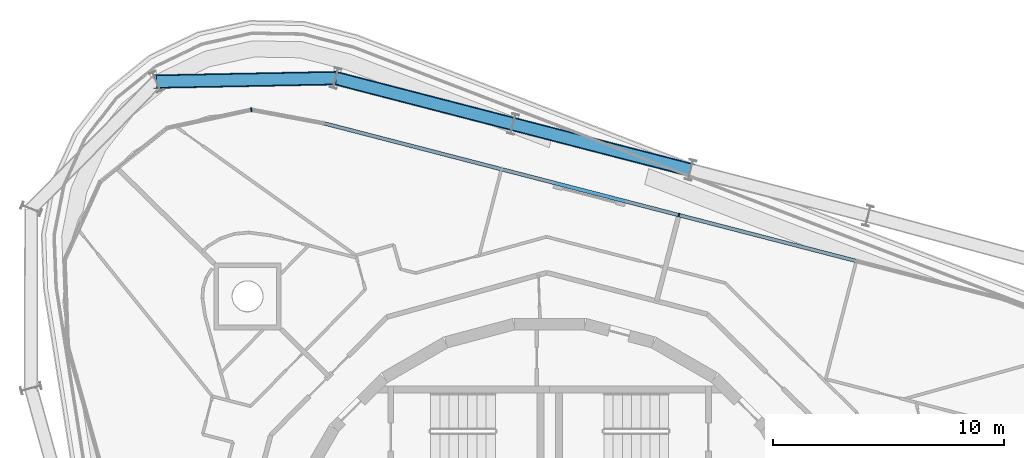
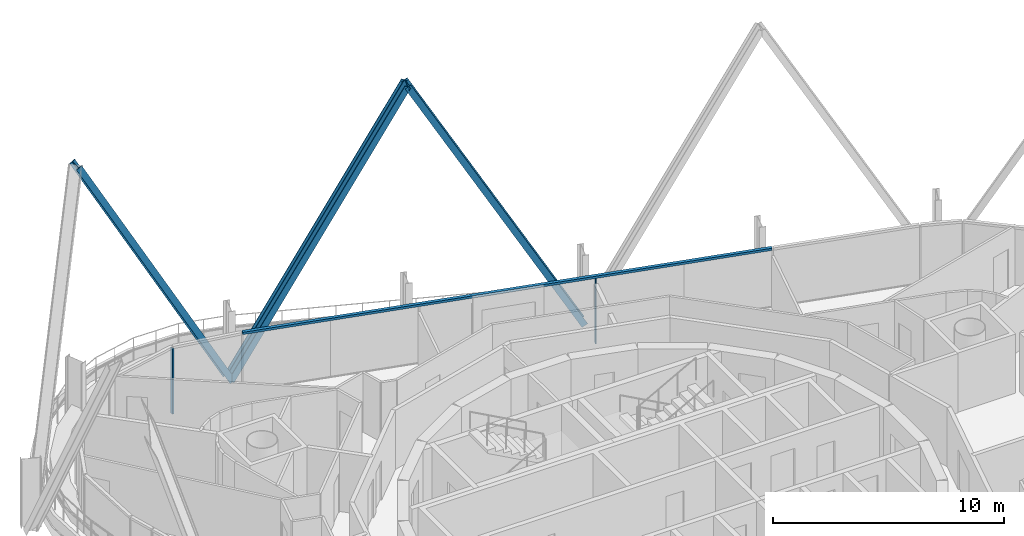
# One storey, part 6 of 18: 6 members, 2 elements without a shape of their own.
"""IFC4 building model written with IfcOpenShell, lengths in metres."""

import ifcopenshell
import ifcopenshell.guid

model = None  # the IFC model being written
_history = None  # IfcOwnerHistory: only IFC2X3 demands one
_inside = {}  # id of a spatial element -> (the spatial element, [elements in it])
_under = {}  # id of a project, library or spatial element -> (it, [spatial elements below it])
_declared = {}  # id of a project -> (the project, [libraries it declares])
_typed = {}  # id of a type object -> (the type object, [elements of that type])
_made_of = {}  # id of a material, layer set ... -> (it, [elements and type objects made of it])


def new_model(schema):
    """Start an empty IFC model of exactly this schema.

    Asked for "IFC4X3", IfcOpenShell would pick the latest addendum, in which some entities
    have other attributes; the version numbers below select the first issue.
    IFC2X3 requires an IfcOwnerHistory on every rooted entity: one is made here for all.
    """
    global model, _history
    if schema == "IFC4X3":
        model = ifcopenshell.file(schema_version=(4, 3, 0, 0))
    else:
        model = ifcopenshell.file(schema=schema)
    _inside.clear()
    _under.clear()
    _declared.clear()
    _typed.clear()
    _made_of.clear()
    _history = None
    if model.schema == "IFC2X3":
        org = make("IfcOrganization", Name="unknown")
        user = make(
            "IfcPersonAndOrganization",
            ThePerson=make("IfcPerson", FamilyName="unknown"),
            TheOrganization=org,
        )
        app = make(
            "IfcApplication",
            ApplicationDeveloper=org,
            Version="unknown",
            ApplicationFullName="unknown",
            ApplicationIdentifier="unknown",
        )
        _history = make(
            "IfcOwnerHistory",
            OwningUser=user,
            OwningApplication=app,
            ChangeAction="ADDED",
            CreationDate=0,
        )
    return model


def make(cls, **values):
    """One entity of the class cls with the attributes given. An attribute that is None is left unset."""
    return model.create_entity(
        cls, **{name: value for name, value in values.items() if value is not None}
    )


def rooted(cls, **values):
    """An entity with a GlobalId (a new one), such as an element, a storey or a relation."""
    return make(cls, GlobalId=ifcopenshell.guid.new(), OwnerHistory=_history, **values)


def si_unit(unit_type, name, prefix=None):
    """IfcSIUnit, for example si_unit("LENGTHUNIT", "METRE", prefix="MILLI")."""
    return make("IfcSIUnit", UnitType=unit_type, Prefix=prefix, Name=name)


def assignment(units):
    """IfcUnitAssignment: the units of a project."""
    return None if units is None else make("IfcUnitAssignment", Units=units)


def point(xyz):
    """IfcCartesianPoint."""
    return None if xyz is None else make("IfcCartesianPoint", Coordinates=xyz)


def direction(xyz):
    """IfcDirection."""
    return None if xyz is None else make("IfcDirection", DirectionRatios=xyz)


def frame(location, z_axis=None, x_axis=None):
    """IfcAxis2Placement3D, a coordinate frame: its origin and axes. An axis left out is left unset."""
    return make(
        "IfcAxis2Placement3D",
        Location=point(location),
        Axis=direction(z_axis),
        RefDirection=direction(x_axis),
    )


def frame_2d(location, x_axis=None):
    """IfcAxis2Placement2D, a coordinate frame in the plane: its origin and x axis."""
    return make(
        "IfcAxis2Placement2D", Location=point(location), RefDirection=direction(x_axis)
    )


def origin():
    """The frame at (0, 0, 0) with its axes left unset."""
    return frame((0.0, 0.0, 0.0))


def origin_2d():
    """The frame at (0, 0) in the plane with its x axis left unset."""
    return frame_2d((0.0, 0.0))


def place(relative_to, where):
    """IfcLocalPlacement: puts the frame where relative to a parent placement (None: the world)."""
    return make(
        "IfcLocalPlacement", PlacementRelTo=relative_to, RelativePlacement=where
    )


def context(
    kind, dimensions, precision=None, world=None, true_north=None, identifier=None
):
    """IfcGeometricRepresentationContext, for example the 3D "Model" context."""
    return make(
        "IfcGeometricRepresentationContext",
        ContextIdentifier=identifier,
        ContextType=kind,
        CoordinateSpaceDimension=dimensions,
        Precision=precision,
        WorldCoordinateSystem=world,
        TrueNorth=true_north,
    )


def subcontext(parent, identifier, kind, view, scale=None):
    """IfcGeometricRepresentationSubContext, for example "Body" below "Model"."""
    return make(
        "IfcGeometricRepresentationSubContext",
        ContextIdentifier=identifier,
        ContextType=kind,
        ParentContext=parent,
        TargetScale=scale,
        TargetView=view,
    )


def project(units=None, contexts=None):
    """IfcProject with its units and contexts."""
    return rooted(
        "IfcProject",
        Name="project",
        RepresentationContexts=contexts,
        UnitsInContext=assignment(units),
    )


def spatial(cls, under=None, at=None, **own):
    """A site, building, storey or space (cls), placed at a placement, below another one or the project."""
    s = rooted(cls, ObjectPlacement=at, **own)
    if under is not None:
        _under.setdefault(under.id(), (under, []))[1].append(s)
    return s


def profile(cls, at=None, kind="AREA", **sizes):
    """A parametric profile (cls). Its sizes go by their IFC names, for example OverallWidth=200.0."""
    return make(cls, ProfileType=kind, Position=at, **sizes)


def rectangle(**sizes):
    """IfcRectangleProfileDef."""
    return profile("IfcRectangleProfileDef", **sizes)


def i_section(**sizes):
    """IfcIShapeProfileDef."""
    return profile("IfcIShapeProfileDef", **sizes)


def extrude(swept, where, along, depth):
    """IfcExtrudedAreaSolid: the profile swept, set in the frame where, extruded along a direction by depth."""
    return make(
        "IfcExtrudedAreaSolid",
        SweptArea=swept,
        Position=where,
        ExtrudedDirection=direction(along),
        Depth=depth,
    )


def shape(context_of_items, identifier, shape_type, items):
    """IfcShapeRepresentation: the items that make up one representation, for example the "Body"."""
    return make(
        "IfcShapeRepresentation",
        ContextOfItems=context_of_items,
        RepresentationIdentifier=identifier,
        RepresentationType=shape_type,
        Items=items,
    )


def material(Name=None, Category=None):
    """IfcMaterial."""
    return make("IfcMaterial", Name=Name, Category=Category)


def layer(
    of_material, thickness, ventilated=None, Name=None, Category=None, Priority=None
):
    """IfcMaterialLayer: one layer of a wall or slab, of a material (None: an air gap)."""
    return make(
        "IfcMaterialLayer",
        Material=of_material,
        LayerThickness=thickness,
        IsVentilated=ventilated,
        Name=Name,
        Category=Category,
        Priority=Priority,
    )


def layer_set(layers, Name=None):
    """IfcMaterialLayerSet."""
    return make("IfcMaterialLayerSet", MaterialLayers=layers, LayerSetName=Name)


def material_profile(
    of_material, cross_section, Name=None, Category=None, Priority=None
):
    """IfcMaterialProfile: a cross section and its material."""
    return make(
        "IfcMaterialProfile",
        Name=Name,
        Material=of_material,
        Profile=cross_section,
        Priority=Priority,
        Category=Category,
    )


def profile_set(profiles, Name=None, composite=None):
    """IfcMaterialProfileSet."""
    return make(
        "IfcMaterialProfileSet",
        Name=Name,
        MaterialProfiles=profiles,
        CompositeProfile=composite,
    )


def made_of(thing, what):
    """Note that an element or type object is made of a material, layer set ...; save() writes the relation."""
    if what is not None:
        _made_of.setdefault(what.id(), (what, []))[1].append(thing)
    return thing


def type_object(cls, material=None, **own):
    """A type object (cls), such as IfcWallType, which elements share."""
    return made_of(rooted(cls, **own), material)


def element(
    cls,
    number,
    at=None,
    inside=None,
    cuts=None,
    type_object=None,
    material=None,
    context=None,
    identifier="Body",
    shape_type=None,
    held_by="IfcProductDefinitionShape",
    body=None,
    shapes=None,
    **own,
):
    """One element of the class cls, such as IfcWall. Its Tag is "e" and its number.

    at: its placement. inside: the storey or other place that contains it. cuts: it is an
    opening in that element (IfcRelVoidsElement). A single representation is given by context,
    identifier, shape_type and body (its items); several are given by shapes. held_by: the class
    of the entity that holds the representations. save() writes the other relations.
    """
    e = rooted(cls, Tag="e%d" % number, ObjectPlacement=at, **own)
    if body is not None:
        shapes = [shape(context, identifier, shape_type, body)]
    if shapes is not None:
        e.Representation = make(held_by, Representations=shapes)
    if inside is not None:
        _inside.setdefault(inside.id(), (inside, []))[1].append(e)
    if cuts is not None:
        rooted(
            "IfcRelVoidsElement", RelatingBuildingElement=cuts, RelatedOpeningElement=e
        )
    if type_object is not None:
        _typed.setdefault(type_object.id(), (type_object, []))[1].append(e)
    return made_of(e, material)


def aggregate(whole, parts):
    """IfcRelAggregates: a whole, such as a stair, and the parts it consists of."""
    return rooted("IfcRelAggregates", RelatingObject=whole, RelatedObjects=parts)


def save(model, path):
    """Write the relations noted so far, then the file.

    IfcRelAggregates (storeys below a building ...), IfcRelContainedInSpatialStructure (elements
    in a storey), IfcRelDefinesByType, IfcRelAssociatesMaterial and IfcRelDeclares: one each for
    every whole, place, type object, material and project.
    """
    for whole, parts in _under.values():
        aggregate(whole, parts)
    for where, things in _inside.values():
        rooted(
            "IfcRelContainedInSpatialStructure",
            RelatedElements=things,
            RelatingStructure=where,
        )
    for kind, things in _typed.values():
        rooted("IfcRelDefinesByType", RelatedObjects=things, RelatingType=kind)
    for what, things in _made_of.values():
        rooted("IfcRelAssociatesMaterial", RelatedObjects=things, RelatingMaterial=what)
    for by, libraries in _declared.values():
        rooted("IfcRelDeclares", RelatingContext=by, RelatedDefinitions=libraries)
    model.write(path)


model = new_model("IFC4")

# Units and contexts
model_context = context("Model", 3, precision=1e-05, world=origin(), true_north=direction((0.0, 1.0)))
body_context = subcontext(model_context, "Body", "Model", "MODEL_VIEW")
ifc_project = project(units=[si_unit("LENGTHUNIT", "METRE"), si_unit("AREAUNIT", "SQUARE_METRE"), si_unit("VOLUMEUNIT", "CUBIC_METRE"), si_unit("PLANEANGLEUNIT", "RADIAN"), si_unit("MASSUNIT", "GRAM", prefix="KILO")], contexts=[model_context])

# Site, building, storey
site_placement = place(None, origin())
site = spatial("IfcSite", under=ifc_project, at=site_placement, CompositionType="ELEMENT")
building_placement = place(site_placement, origin())
building = spatial("IfcBuilding", under=site, at=building_placement, Name="Spindle Arch Residences", CompositionType="ELEMENT")
storey_placement = place(building_placement, frame((0.0, 0.0, 298.199951171875)))
storey = spatial("IfcBuildingStorey", under=building, at=storey_placement, Name="L76", CompositionType="ELEMENT", Elevation=298.199951171875)

# Curtain wall, member
ifc_material_1 = material(Name="Aluminium bronze unitised frame with tinted glass", Category="aluminium")
ifc_layer_1 = layer(ifc_material_1, 0.159912109375)
ifc_layer_set_1 = layer_set([ifc_layer_1], Name="CW-C typical residential unitised wall")
curtain_wall_type_1 = type_object("IfcCurtainWallType", Name="CW-C typical residential unitised wall", PredefinedType="NOTDEFINED", material=ifc_layer_set_1)
curtain_wall_1_placement = place(storey_placement, origin())
curtain_wall_1 = element("IfcCurtainWall", 1, at=curtain_wall_1_placement, inside=storey, type_object=curtain_wall_type_1, Name="CW-C L76 run 2", PredefinedType="NOTDEFINED")
ifc_material_2 = material(Name="Aluminium bronze anodised mullion", Category="aluminium")
ifc_material_profile_1 = material_profile(ifc_material_2, rectangle(XDim=0.159912109375, YDim=0.06005859375, at=origin_2d()), Name="MU 60x160")
ifc_profile_set_1 = profile_set([ifc_material_profile_1], Name="Aluminium bronze anodised mullion")
member_type_1 = type_object("IfcMemberType", Name="Bronze mullion 60x160", PredefinedType="MULLION", material=ifc_profile_set_1)
member_1_placement = place(storey_placement, frame((5.59814453125, 16.3642578125, -0.449951171875), z_axis=(0.0, 0.0, 1.0), x_axis=(-0.250380004054, -0.968147640378, 0.0)))
member_1 = element("IfcMember", 2, at=member_1_placement, type_object=member_type_1, Name="CW-C mullion 06", PredefinedType="MULLION", context=body_context, shape_type="SweptSolid", body=[
    extrude(rectangle(XDim=0.159912109375, YDim=0.06005859375, at=origin_2d()), origin(), (0.0, 0.0, 1.0), 3.449951171875),
])

ifc_material_3 = material(Name="Aluminium bronze unitised frame with tinted glass", Category="aluminium")
ifc_layer_2 = layer(ifc_material_3, 0.159912109375)
ifc_layer_set_2 = layer_set([ifc_layer_2], Name="CW-D corner wall on the fillet arcs")
curtain_wall_type_2 = type_object("IfcCurtainWallType", Name="CW-D corner wall on the fillet arcs", PredefinedType="NOTDEFINED", material=ifc_layer_set_2)
curtain_wall_2_placement = place(storey_placement, origin())
curtain_wall_2 = element("IfcCurtainWall", 3, at=curtain_wall_2_placement, inside=storey, type_object=curtain_wall_type_2, Name="CW-D L76 run 3", PredefinedType="NOTDEFINED")
member_2_placement = place(storey_placement, frame((-12.908935546875, 20.925537109375, -0.449951171875), z_axis=(0.0, 0.0, 1.0), x_axis=(0.210756129184, -0.977538671364, 0.0)))
member_2 = element("IfcMember", 4, at=member_2_placement, type_object=member_type_1, Name="CW-D mullion 01", PredefinedType="MULLION", context=body_context, shape_type="SweptSolid", body=[
    extrude(rectangle(XDim=0.159912109375, YDim=0.06005859375, at=origin_2d()), origin(), (0.0, 0.0, 1.0), 3.449951171875),
])
aggregate(curtain_wall_2, [member_2])

# Member
ifc_material_4 = material(Name="Aluminium bronze anodised transom", Category="aluminium")
ifc_material_profile_2 = material_profile(ifc_material_4, rectangle(XDim=0.159912109375, YDim=0.1201171875, at=origin_2d()), Name="TR 120x160")
ifc_profile_set_2 = profile_set([ifc_material_profile_2], Name="Aluminium bronze anodised transom")
member_type_2 = type_object("IfcMemberType", Name="Bronze transom 120x160", PredefinedType="USERDEFINED", material=ifc_profile_set_2)
member_3_placement = place(storey_placement, frame((13.25146484375, 14.385009765625, 3.06005859375), z_axis=(-0.96814815777, 0.250378003441, 0.0), x_axis=(-0.250378003441, -0.96814815777, 0.0)))
member_3 = element("IfcMember", 5, at=member_3_placement, type_object=member_type_2, Name="CW-C transom 00", ObjectType="TRANSOM", PredefinedType="USERDEFINED", context=body_context, shape_type="SweptSolid", body=[
    extrude(rectangle(XDim=0.159912109375, YDim=0.1201171875, at=origin_2d()), origin(), (0.0, 0.0, 1.0), 23.745361328125),
])

aggregate(curtain_wall_1, [member_3, member_1])

# Members
ifc_material_5 = material(Name="Steel S460ML, intumescent coating R 240", Category="steel")
ifc_material_profile_3 = material_profile(ifc_material_5, i_section(OverallWidth=0.300048828125, OverallDepth=0.60009765625, WebThickness=0.015380859375, FlangeThickness=0.030029296875, FilletRadius=0.027099609375, at=origin_2d()), Name="HEB 600")
ifc_profile_set_3 = profile_set([ifc_material_profile_3], Name="Steel S460ML, intumescent coating R 240")
member_type_3 = type_object("IfcMemberType", Name="Diagrid diagonal HEB 600", PredefinedType="BRACE", material=ifc_profile_set_3)
member_4_placement = place(storey_placement, frame((6.10400390625, 18.31982421875, -0.699951171875), z_axis=(-0.475599587519, 0.122995724013, 0.871020714005), x_axis=(0.843277806191, -0.218081695271, 0.491246288305)))
element("IfcMember", 6, at=member_4_placement, inside=storey, type_object=member_type_3, Name="Diagrid diagonal 8.1.7", PredefinedType="BRACE", context=body_context, shape_type="SweptSolid", body=[
    extrude(i_section(OverallWidth=0.300048828125, OverallDepth=0.60009765625, WebThickness=0.015380859375, FlangeThickness=0.030029296875, FilletRadius=0.027099609375, at=origin_2d()), origin(), (0.0, 0.0, 1.0), 16.153564453125),
])
member_5_placement = place(storey_placement, frame((-9.2607421875, 22.29345703125, -0.699951171875), z_axis=(0.475576196818, -0.122997492204, 0.871033235836), x_axis=(-0.843286569043, 0.218097823011, 0.491224085391)))
element("IfcMember", 7, at=member_5_placement, inside=storey, type_object=member_type_3, Name="Diagrid diagonal 8.1.8", PredefinedType="BRACE", context=body_context, shape_type="SweptSolid", body=[
    extrude(i_section(OverallWidth=0.300048828125, OverallDepth=0.60009765625, WebThickness=0.015380859375, FlangeThickness=0.030029296875, FilletRadius=0.027099609375, at=origin_2d()), origin(), (0.0, 0.0, 1.0), 16.1533203125),
])
member_6_placement = place(storey_placement, frame((-9.2607421875, 22.29345703125, -0.699951171875), z_axis=(-0.482818850261, -0.009253420185, 0.875671360756), x_axis=(0.875510582371, 0.016779517392, 0.482907514905)))
element("IfcMember", 8, at=member_6_placement, inside=storey, type_object=member_type_3, Name="Diagrid diagonal 8.1.9", PredefinedType="BRACE", context=body_context, shape_type="SweptSolid", body=[
    extrude(i_section(OverallWidth=0.300048828125, OverallDepth=0.60009765625, WebThickness=0.015380859375, FlangeThickness=0.030029296875, FilletRadius=0.027099609375, at=origin_2d()), origin(), (0.0, 0.0, 1.0), 16.06787109375),
])

save(model, "model.ifc")
